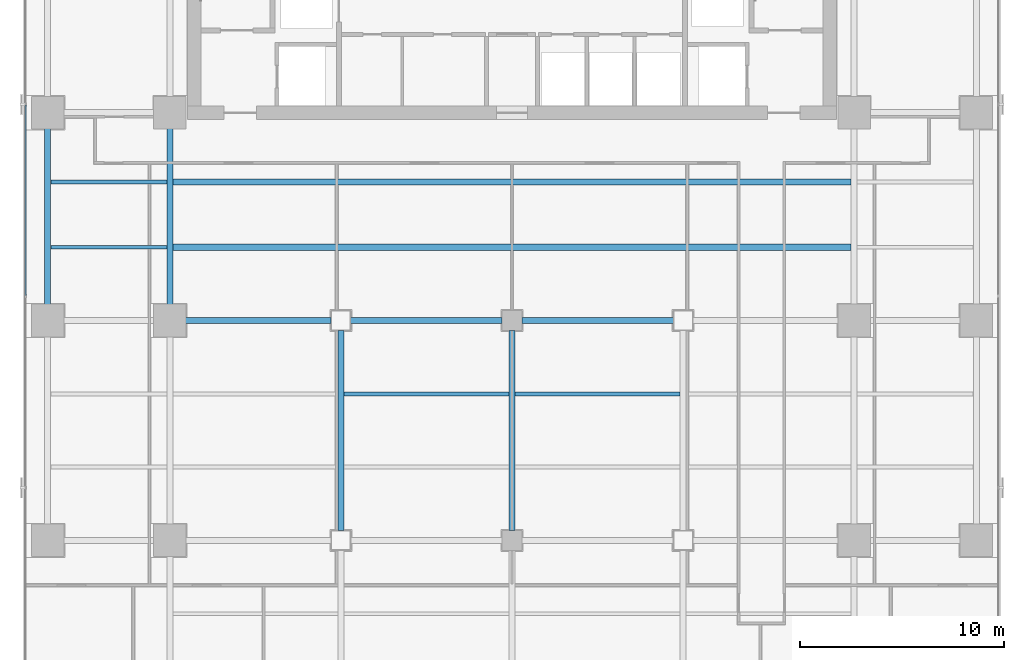
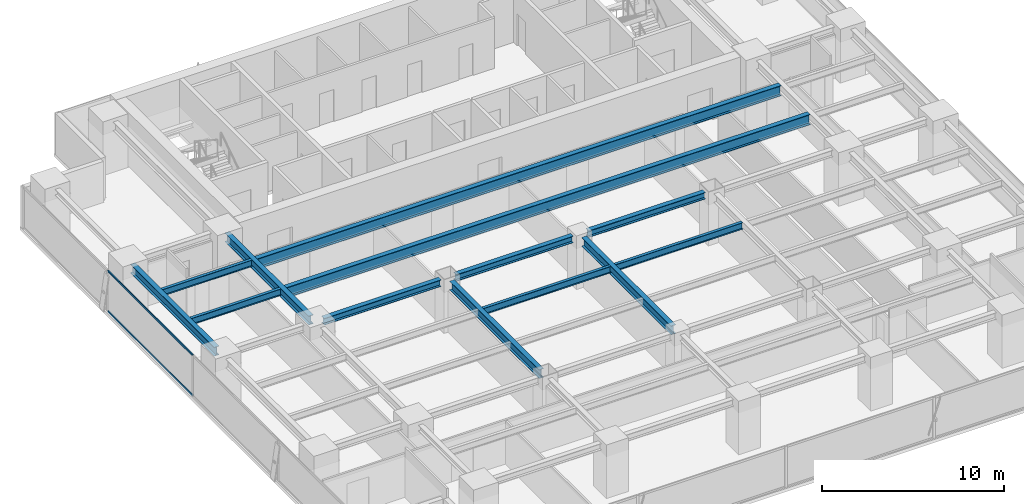
# One storey, part 8 of 28: 13 beams, 2 members, 1 element without a shape of its own.
"""IFC4 building model written with IfcOpenShell, lengths in metres."""

from ifc_helpers import new_model, si_unit, direction, frame, origin, origin_2d, place, context, subcontext, project, spatial, hollow_rectangle, i_section, extrude, source, transform, mapped, material, layer, layer_set, material_profile, profile_set, type_object, element, aggregate, save


model = new_model("IFC4")

# Units and contexts
model_context = context("Model", 3, precision=1e-05, world=origin(), true_north=direction((0.0, 1.0)))
body_context = subcontext(model_context, "Body", "Model", "MODEL_VIEW")
ifc_project = project(units=[si_unit("LENGTHUNIT", "METRE"), si_unit("AREAUNIT", "SQUARE_METRE"), si_unit("VOLUMEUNIT", "CUBIC_METRE"), si_unit("PLANEANGLEUNIT", "RADIAN"), si_unit("MASSUNIT", "GRAM", prefix="KILO")], contexts=[model_context])

# Site, building, storey
site_placement = place(None, origin())
site = spatial("IfcSite", under=ifc_project, at=site_placement, CompositionType="ELEMENT")
building_placement = place(site_placement, origin())
building = spatial("IfcBuilding", under=site, at=building_placement, Name="Sumidabori Civic Tower", CompositionType="ELEMENT")
storey_placement = place(building_placement, frame((0.0, 0.0, 182.0)))
storey = spatial("IfcBuildingStorey", under=building, at=storey_placement, Name="L47", CompositionType="ELEMENT", Elevation=182.0)

# Beams
ifc_material_1 = material(Name="Steel SN490", Category="steel")
ifc_material_profile_1 = material_profile(ifc_material_1, i_section(OverallWidth=0.300048828125, OverallDepth=0.60009765625, WebThickness=0.015380859375, FlangeThickness=0.030029296875, at=origin_2d()), Name="HE 600 B")
ifc_profile_set_1 = profile_set([ifc_material_profile_1], Name="Steel SN490")
beam_type_1 = type_object("IfcBeamType", Name="BM-GIRD-600", PredefinedType="BEAM", material=ifc_profile_set_1)
shared_shape_1 = source(origin(), body_context, "Body", "SweptSolid", [
    extrude(i_section(OverallWidth=0.300048828125, OverallDepth=0.60009765625, WebThickness=0.015380859375, FlangeThickness=0.030029296875, at=origin_2d()), origin(), (0.0, 0.0, 1.0), 9.840087890625),
])
for number, where, z_axis, x_axis, name in (
    (1, (-8.39990234375, -10.320068359375, 3.080078125), (0.0, 1.0, 0.0), (-1.0, 0.0, 0.0), "Primary Girder L47 GY-27"),
    (2, (0.0, -10.320068359375, 3.080078125), (0.0, 1.0, 0.0), (-1.0, 0.0, 0.0), "Primary Girder L47 GY-29"),
):
    element("IfcBeam", number, at=place(storey_placement, frame(where, z_axis=z_axis, x_axis=x_axis)), inside=storey, type_object=beam_type_1, Name=name, PredefinedType="BEAM", context=body_context, shape_type="MappedRepresentation", body=[
        mapped(shared_shape_1, transform((0.0, 0.0, 0.0), x_axis=(1.0, 0.0, 0.0), y_axis=(0.0, 1.0, 0.0), z_axis=(0.0, 0.0, 1.0), scale=1.0)),
    ])
shared_shape_2 = source(origin(), body_context, "Body", "SweptSolid", [
    extrude(i_section(OverallWidth=0.300048828125, OverallDepth=0.60009765625, WebThickness=0.015380859375, FlangeThickness=0.030029296875, at=origin_2d()), origin(), (0.0, 0.0, 1.0), 9.239990234375),
])
for number, where, z_axis, x_axis, name in (
    (3, (-22.800048828125, 0.47998046875, 3.080078125), (0.0, 1.0, 0.0), (-1.0, 0.0, 0.0), "Primary Girder L47 GY-20"),
    (4, (-16.800048828125, 0.47998046875, 3.080078125), (0.0, 1.0, 0.0), (-1.0, 0.0, 0.0), "Primary Girder L47 GY-24"),
):
    element("IfcBeam", number, at=place(storey_placement, frame(where, z_axis=z_axis, x_axis=x_axis)), inside=storey, type_object=beam_type_1, Name=name, PredefinedType="BEAM", context=body_context, shape_type="MappedRepresentation", body=[
        mapped(shared_shape_2, transform((0.0, 0.0, 0.0), x_axis=(1.0, 0.0, 0.0), y_axis=(0.0, 1.0, 0.0), z_axis=(0.0, 0.0, 1.0), scale=1.0)),
    ])
ifc_material_profile_2 = material_profile(ifc_material_1, i_section(OverallWidth=0.300048828125, OverallDepth=0.699951171875, WebThickness=0.01708984375, FlangeThickness=0.031982421875, at=origin_2d()), Name="HE 700 B")
ifc_profile_set_2 = profile_set([ifc_material_profile_2], Name="Steel SN490")
beam_type_2 = type_object("IfcBeamType", Name="BM-GIRD-700", PredefinedType="BEAM", material=ifc_profile_set_2)
shared_shape_3 = source(origin(), body_context, "Body", "SweptSolid", [
    extrude(i_section(OverallWidth=0.300048828125, OverallDepth=0.699951171875, WebThickness=0.01708984375, FlangeThickness=0.031982421875, at=origin_2d()), origin(), (0.0, 0.0, 1.0), 33.2998046875),
])
for number, where, z_axis, x_axis, name in (
    (5, (-16.64990234375, 3.60009765625, 3.030029296875), (1.0, 0.0, 0.0), (0.0, 1.0, 0.0), "North Bay Floor Beam L47 JSTN-47"),
    (6, (-16.64990234375, 6.800048828125, 3.030029296875), (1.0, 0.0, 0.0), (0.0, 1.0, 0.0), "North Bay Floor Beam L47 JSTN-48"),
):
    element("IfcBeam", number, at=place(storey_placement, frame(where, z_axis=z_axis, x_axis=x_axis)), inside=storey, type_object=beam_type_2, Name=name, PredefinedType="BEAM", context=body_context, shape_type="MappedRepresentation", body=[
        mapped(shared_shape_3, transform((0.0, 0.0, 0.0), x_axis=(1.0, 0.0, 0.0), y_axis=(0.0, 1.0, 0.0), z_axis=(0.0, 0.0, 1.0), scale=1.0)),
    ])
ifc_material_profile_3 = material_profile(ifc_material_1, i_section(OverallWidth=0.18994140625, OverallDepth=0.449951171875, WebThickness=0.009521484375, FlangeThickness=0.0146484375, at=origin_2d()), Name="IPE 450")
ifc_profile_set_3 = profile_set([ifc_material_profile_3], Name="Steel SN490")
beam_type_3 = type_object("IfcBeamType", Name="BM-JST-450", PredefinedType="JOIST", material=ifc_profile_set_3)
shared_shape_4 = source(origin(), body_context, "Body", "SweptSolid", [
    extrude(i_section(OverallWidth=0.18994140625, OverallDepth=0.449951171875, WebThickness=0.009521484375, FlangeThickness=0.0146484375, at=origin_2d()), origin(), (0.0, 0.0, 1.0), 5.699951171875),
])
for number, where, z_axis, x_axis, name in (
    (7, (-22.64990234375, 3.60009765625, 3.155029296875), (1.0, 0.0, 0.0), (0.0, 1.0, 0.0), "Outer Bay Floor Joist L47 JSTO-43"),
    (8, (-22.64990234375, 6.800048828125, 3.155029296875), (1.0, 0.0, 0.0), (0.0, 1.0, 0.0), "Outer Bay Floor Joist L47 JSTO-45"),
):
    element("IfcBeam", number, at=place(storey_placement, frame(where, z_axis=z_axis, x_axis=x_axis)), inside=storey, type_object=beam_type_3, Name=name, PredefinedType="JOIST", context=body_context, shape_type="MappedRepresentation", body=[
        mapped(shared_shape_4, transform((0.0, 0.0, 0.0), x_axis=(1.0, 0.0, 0.0), y_axis=(0.0, 1.0, 0.0), z_axis=(0.0, 0.0, 1.0), scale=1.0)),
    ])
shared_shape_5 = source(origin(), body_context, "Body", "SweptSolid", [
    extrude(i_section(OverallWidth=0.18994140625, OverallDepth=0.449951171875, WebThickness=0.009521484375, FlangeThickness=0.0146484375, at=origin_2d()), origin(), (0.0, 0.0, 1.0), 8.10009765625),
])
for number, where, z_axis, x_axis, name in (
    (9, (-8.25, -3.60009765625, 3.155029296875), (1.0, 0.0, 0.0), (0.0, 1.0, 0.0), "South Bay Floor Joist L47 JSTS-58"),
    (10, (0.14990234375, -3.60009765625, 3.155029296875), (1.0, 0.0, 0.0), (0.0, 1.0, 0.0), "South Bay Floor Joist L47 JSTS-59"),
):
    element("IfcBeam", number, at=place(storey_placement, frame(where, z_axis=z_axis, x_axis=x_axis)), inside=storey, type_object=beam_type_3, Name=name, PredefinedType="JOIST", context=body_context, shape_type="MappedRepresentation", body=[
        mapped(shared_shape_5, transform((0.0, 0.0, 0.0), x_axis=(1.0, 0.0, 0.0), y_axis=(0.0, 1.0, 0.0), z_axis=(0.0, 0.0, 1.0), scale=1.0)),
    ])
ifc_material_profile_4 = material_profile(ifc_material_1, i_section(OverallWidth=0.300048828125, OverallDepth=0.449951171875, WebThickness=0.013916015625, FlangeThickness=0.02587890625, at=origin_2d()), Name="HE 450 B")
ifc_profile_set_4 = profile_set([ifc_material_profile_4], Name="Steel SN490")
beam_type_4 = type_object("IfcBeamType", Name="BM-GIRD-450", PredefinedType="BEAM", material=ifc_profile_set_4)
shared_shape_6 = source(origin(), body_context, "Body", "SweptSolid", [
    extrude(i_section(OverallWidth=0.300048828125, OverallDepth=0.449951171875, WebThickness=0.013916015625, FlangeThickness=0.02587890625, at=origin_2d()), origin(), (0.0, 0.0, 1.0), 7.440185546875),
])
beam_placement = place(storey_placement, frame((-16.320068359375, 0.0, 3.155029296875), z_axis=(1.0, 0.0, 0.0), x_axis=(0.0, 1.0, 0.0)))
element("IfcBeam", 11, at=beam_placement, inside=storey, type_object=beam_type_4, Name="Primary Girder L47 GX-12", PredefinedType="BEAM", context=body_context, shape_type="MappedRepresentation", body=[
    mapped(shared_shape_6, transform((0.0, 0.0, 0.0), x_axis=(1.0, 0.0, 0.0), y_axis=(0.0, 1.0, 0.0), z_axis=(0.0, 0.0, 1.0), scale=1.0)),
])
shared_shape_7 = source(origin(), body_context, "Body", "SweptSolid", [
    extrude(i_section(OverallWidth=0.300048828125, OverallDepth=0.449951171875, WebThickness=0.013916015625, FlangeThickness=0.02587890625, at=origin_2d()), origin(), (0.0, 0.0, 1.0), 7.43994140625),
])
for number, where, z_axis, x_axis, name in (
    (12, (-7.919921875, 0.0, 3.155029296875), (1.0, 0.0, 0.0), (0.0, 1.0, 0.0), "Primary Girder L47 GX-13"),
    (13, (0.47998046875, 0.0, 3.155029296875), (1.0, 0.0, 0.0), (0.0, 1.0, 0.0), "Primary Girder L47 GX-14"),
):
    element("IfcBeam", number, at=place(storey_placement, frame(where, z_axis=z_axis, x_axis=x_axis)), inside=storey, type_object=beam_type_4, Name=name, PredefinedType="BEAM", context=body_context, shape_type="MappedRepresentation", body=[
        mapped(shared_shape_7, transform((0.0, 0.0, 0.0), x_axis=(1.0, 0.0, 0.0), y_axis=(0.0, 1.0, 0.0), z_axis=(0.0, 0.0, 1.0), scale=1.0)),
    ])

# Curtain wall, members
ifc_material_2 = material(Name="Anodised Bronze Aluminium AW-6063-T6", Category="aluminium")
ifc_layer = layer(ifc_material_2, 0.179931640625, Name="Anodised Bronze Aluminium AW-6063-T6")
ifc_layer_set = layer_set([ifc_layer], Name="Anodised Bronze Aluminium AW-6063-T6")
curtain_wall_type = type_object("IfcCurtainWallType", Name="CW-SYS-3", PredefinedType="NOTDEFINED", material=ifc_layer_set)
curtain_wall_placement = place(storey_placement, origin())
curtain_wall = element("IfcCurtainWall", 14, at=curtain_wall_placement, inside=storey, type_object=curtain_wall_type, Name="Curtain Wall CW:L47:R10", PredefinedType="NOTDEFINED")
ifc_material_profile_5 = material_profile(ifc_material_2, hollow_rectangle(XDim=0.06005859375, YDim=0.1298828125, WallThickness=0.0048828125, at=origin_2d()), Name="ALU TRANSOM 130x60")
ifc_profile_set_5 = profile_set([ifc_material_profile_5], Name="Anodised Bronze Aluminium AW-6063-T6")
member_type = type_object("IfcMemberType", Name="CW-TRN-130", PredefinedType="USERDEFINED", material=ifc_profile_set_5)
shared_shape_8 = source(origin(), body_context, "Body", "SweptSolid", [
    extrude(hollow_rectangle(XDim=0.06005859375, YDim=0.1298828125, WallThickness=0.0048828125, at=origin_2d()), origin(), (0.0, 0.0, 1.0), 9.344970703125),
])
member_1_placement = place(storey_placement, frame((-23.8798828125, 10.577392578125, 0.030029296875), z_axis=(0.0, -1.0, 0.0), x_axis=(1.0, 0.0, 0.0)))
member_1 = element("IfcMember", 15, at=member_1_placement, type_object=member_type, Name="CW-3 transom 2.1", ObjectType="TRANSOM", PredefinedType="USERDEFINED", context=body_context, shape_type="MappedRepresentation", body=[
    mapped(shared_shape_8, transform((0.0, 0.0, 0.0), x_axis=(1.0, 0.0, 0.0), y_axis=(0.0, 1.0, 0.0), z_axis=(0.0, 0.0, 1.0), scale=1.0)),
])
member_2_placement = place(storey_placement, frame((-23.8798828125, 10.577392578125, 2.72998046875), z_axis=(0.0, -1.0, 0.0), x_axis=(1.0, 0.0, 0.0)))
member_2 = element("IfcMember", 16, at=member_2_placement, type_object=member_type, Name="CW-3 transom 2.2", ObjectType="TRANSOM", PredefinedType="USERDEFINED", context=body_context, shape_type="MappedRepresentation", body=[
    mapped(shared_shape_8, transform((0.0, 0.0, 0.0), x_axis=(1.0, 0.0, 0.0), y_axis=(0.0, 1.0, 0.0), z_axis=(0.0, 0.0, 1.0), scale=1.0)),
])
aggregate(curtain_wall, [member_1, member_2])

save(model, "model.ifc")
